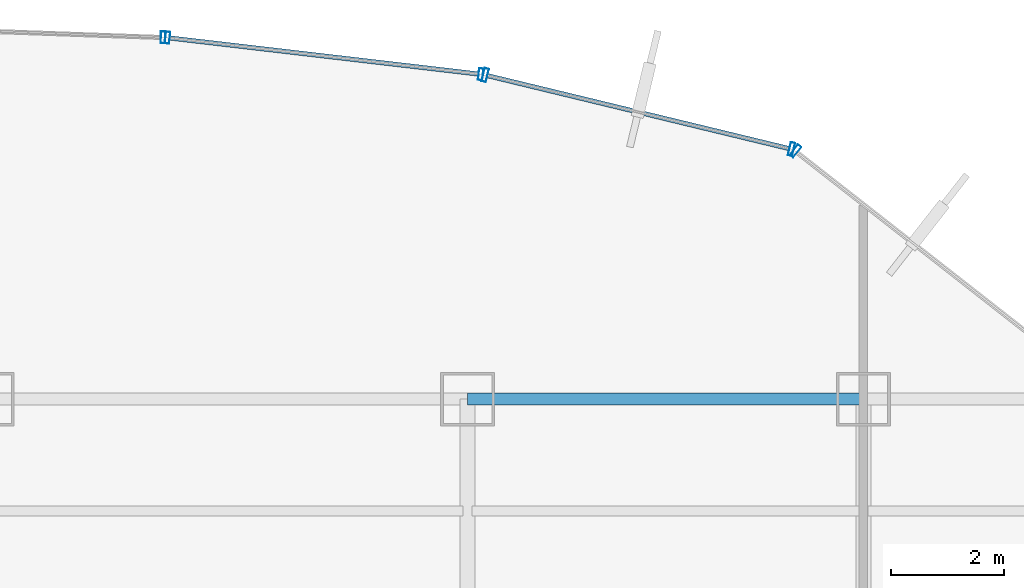
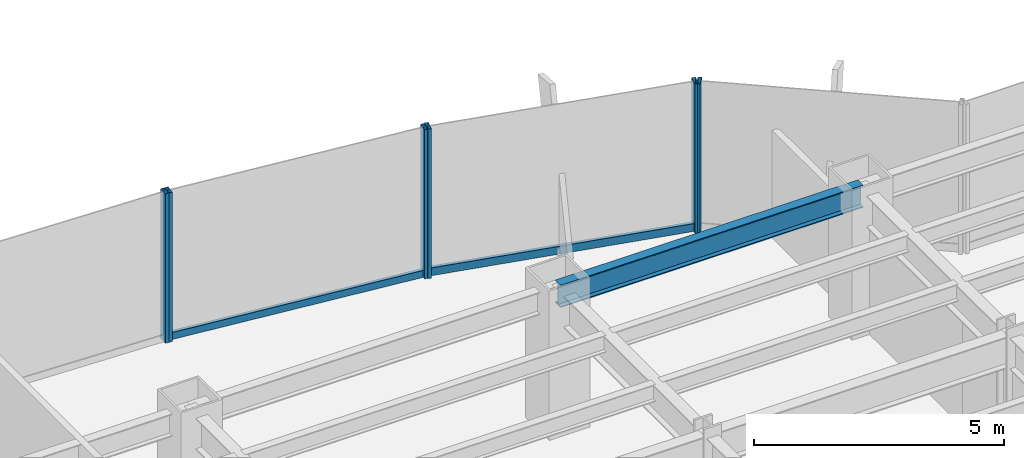
# One storey, part 14 of 22: 8 members, 1 beam, 4 elements without a shape of their own.
"""IFC4 building model written with IfcOpenShell, lengths in metres."""

from ifc_helpers import new_model, si_unit, derived_unit, direction, frame, origin, origin_2d, place, context, subcontext, project, spatial, hollow_rectangle, i_section, extrude, source, transform, mapped, material, material_profile, profile_set, type_object, element, aggregate, save


model = new_model("IFC4")

# Units and contexts
model_context = context("Model", 3, precision=1e-05, world=origin(), true_north=direction((0.0, 1.0)))
body_context = subcontext(model_context, "Body", "Model", "MODEL_VIEW")
ifc_project = project(units=[si_unit("LENGTHUNIT", "METRE"), si_unit("AREAUNIT", "SQUARE_METRE"), si_unit("VOLUMEUNIT", "CUBIC_METRE"), si_unit("PLANEANGLEUNIT", "RADIAN"), si_unit("MASSUNIT", "GRAM", prefix="KILO"), derived_unit("THERMALTRANSMITTANCEUNIT", [(si_unit("POWERUNIT", "WATT"), 1), (si_unit("LENGTHUNIT", "METRE"), -2), (si_unit("THERMODYNAMICTEMPERATUREUNIT", "KELVIN"), -1)])], contexts=[model_context])

# Site, building, storey
site_placement = place(None, origin())
site = spatial("IfcSite", under=ifc_project, at=site_placement, CompositionType="ELEMENT")
building_placement = place(site_placement, origin())
building = spatial("IfcBuilding", under=site, at=building_placement, Name="Skarnbrae Concourse Arena and Tower", CompositionType="ELEMENT")
storey_placement = place(building_placement, frame((0.0, 0.0, 61.699951171875)))
storey = spatial("IfcBuildingStorey", under=building, at=storey_placement, Name="L14", CompositionType="ELEMENT", Elevation=61.699951171875)

# Beam
ifc_material_1 = material(Name="Steel CSA G40.21 350W", Category="steel")
ifc_material_profile_1 = material_profile(ifc_material_1, i_section(OverallWidth=0.214111328125, OverallDepth=0.549072265625, WebThickness=0.0146484375, FlangeThickness=0.023681640625, at=origin_2d()), Name="W530X138")
ifc_profile_set_1 = profile_set([ifc_material_profile_1], Name="Steel CSA G40.21 350W")
beam_type = type_object("IfcBeamType", Name="BM-SPAN-W530X138", PredefinedType="SPANDREL", material=ifc_profile_set_1)
shared_shape_1 = source(origin(), body_context, "Body", "SweptSolid", [
    extrude(i_section(OverallWidth=0.214111328125, OverallDepth=0.549072265625, WebThickness=0.0146484375, FlangeThickness=0.023681640625, at=origin_2d()), origin(), (0.0, 0.0, 1.0), 7.0),
])
beam_placement = place(storey_placement, frame((42.0, 40.39990234375, 3.12548828125), z_axis=(1.0, 0.0, 0.0), x_axis=(0.0, 1.0, 0.0)))
element("IfcBeam", 1, at=beam_placement, inside=storey, type_object=beam_type, Name="L14 Perimeter spandrel Y40.4-6", PredefinedType="SPANDREL", context=body_context, shape_type="MappedRepresentation", body=[
    mapped(shared_shape_1, transform((0.0, 0.0, 0.0))),
])

# Curtain wall, member
ifc_material_2 = material(Name="Bronze anodised aluminium 6063-T6", Category="aluminium")
curtain_wall_type_1 = type_object("IfcCurtainWallType", Name="CW-SYS-02-LOWZONE", PredefinedType="USERDEFINED", material=ifc_material_2)
curtain_wall_1_placement = place(storey_placement, origin())
curtain_wall_1 = element("IfcCurtainWall", 2, at=curtain_wall_1_placement, inside=storey, type_object=curtain_wall_type_1, Name="L14 Unitised curtain wall CW-L14-E09", ObjectType="UNITISED CURTAIN WALL", PredefinedType="USERDEFINED")
ifc_material_profile_2 = material_profile(ifc_material_2, hollow_rectangle(XDim=0.080078125, YDim=0.18994140625, WallThickness=0.0048828125, at=origin_2d()), Name="ALU-TRAN-80X190")
ifc_profile_set_2 = profile_set([ifc_material_profile_2], Name="Bronze anodised aluminium 6063-T6")
member_type_1 = type_object("IfcMemberType", Name="CWT-CW-02", PredefinedType="USERDEFINED", material=ifc_profile_set_2)
shared_shape_2 = source(origin(), body_context, "Body", "SweptSolid", [
    extrude(hollow_rectangle(XDim=0.080078125, YDim=0.18994140625, WallThickness=0.0048828125, at=origin_2d()), origin(), (0.0, 0.0, 1.0), 5.4921875),
])
member_1_placement = place(storey_placement, frame((47.6884765625, 44.83056640625, 0.094970703125), z_axis=(-0.971980728004, 0.235060554728, 0.0), x_axis=(-0.235060554728, -0.971980728004, 0.0)))
member_1 = element("IfcMember", 3, at=member_1_placement, type_object=member_type_1, Name="CW-L14-E09 Transom 1", ObjectType="TRANSOM", PredefinedType="USERDEFINED", context=body_context, shape_type="MappedRepresentation", body=[
    mapped(shared_shape_2, transform((0.0, 0.0, 0.0))),
])

curtain_wall_2_placement = place(storey_placement, origin())
curtain_wall_2 = element("IfcCurtainWall", 4, at=curtain_wall_2_placement, inside=storey, type_object=curtain_wall_type_1, Name="L14 Unitised curtain wall CW-L14-E08", ObjectType="UNITISED CURTAIN WALL", PredefinedType="USERDEFINED")
ifc_material_profile_3 = material_profile(ifc_material_2, hollow_rectangle(XDim=0.080078125, YDim=0.239990234375, WallThickness=0.0048828125, at=origin_2d()), Name="ALU-MULL-80X240")
ifc_profile_set_3 = profile_set([ifc_material_profile_3], Name="Bronze anodised aluminium 6063-T6")
member_type_2 = type_object("IfcMemberType", Name="CWM-CW-02", PredefinedType="MULLION", material=ifc_profile_set_3)
shared_shape_3 = source(origin(), body_context, "Body", "SweptSolid", [
    extrude(hollow_rectangle(XDim=0.080078125, YDim=0.239990234375, WallThickness=0.0048828125, at=origin_2d()), origin(), (0.0, 0.0, 1.0), 3.650146484375),
])
member_2_placement = place(storey_placement, frame((47.7978515625, 44.787109375, 0.0), z_axis=(0.0, 0.0, 1.0), x_axis=(-0.787651726054, 0.616120733658, 0.0)))
member_2 = element("IfcMember", 5, at=member_2_placement, type_object=member_type_2, Name="CW-L14-E08 Mullion 2", PredefinedType="MULLION", context=body_context, shape_type="MappedRepresentation", body=[
    mapped(shared_shape_3, transform((0.0, 0.0, 0.0))),
])
aggregate(curtain_wall_2, [member_2])

# Member
member_3_placement = place(storey_placement, frame((47.727294921875, 44.821044921875, 0.0), z_axis=(0.0, 0.0, 1.0), x_axis=(-0.971973721569, 0.235089524607, 0.0)))
member_3 = element("IfcMember", 6, at=member_3_placement, type_object=member_type_2, Name="CW-L14-E09 Mullion 1", PredefinedType="MULLION", context=body_context, shape_type="MappedRepresentation", body=[
    mapped(shared_shape_3, transform((0.0, 0.0, 0.0))),
])

member_4_placement = place(storey_placement, frame((42.311279296875, 46.131103515625, 0.0), z_axis=(0.0, 0.0, 1.0), x_axis=(-0.971973721569, 0.235089524607, 0.0)))
member_4 = element("IfcMember", 7, at=member_4_placement, type_object=member_type_2, Name="CW-L14-E09 Mullion 2", PredefinedType="MULLION", context=body_context, shape_type="MappedRepresentation", body=[
    mapped(shared_shape_3, transform((0.0, 0.0, 0.0))),
])

aggregate(curtain_wall_1, [member_3, member_4, member_1])

# Curtain wall, members
curtain_wall_type_2 = type_object("IfcCurtainWallType", Name="CW-SYS-03-PORTAL", PredefinedType="USERDEFINED", material=ifc_material_2)
curtain_wall_3_placement = place(storey_placement, origin())
curtain_wall_3 = element("IfcCurtainWall", 8, at=curtain_wall_3_placement, inside=storey, type_object=curtain_wall_type_2, Name="L14 Unitised curtain wall CW-L14-E10", ObjectType="UNITISED CURTAIN WALL", PredefinedType="USERDEFINED")
ifc_material_profile_4 = material_profile(ifc_material_2, hollow_rectangle(XDim=0.080078125, YDim=0.2099609375, WallThickness=0.00439453125, at=origin_2d()), Name="ALU-MULL-80X210")
ifc_profile_set_4 = profile_set([ifc_material_profile_4], Name="Bronze anodised aluminium 6063-T6")
member_type_3 = type_object("IfcMemberType", Name="CWM-CW-03", PredefinedType="MULLION", material=ifc_profile_set_4)
shared_shape_4 = source(origin(), body_context, "Body", "SweptSolid", [
    extrude(hollow_rectangle(XDim=0.080078125, YDim=0.2099609375, WallThickness=0.00439453125, at=origin_2d()), origin(), (0.0, 0.0, 1.0), 3.650146484375),
])
member_5_placement = place(storey_placement, frame((42.232666015625, 46.14501953125, 0.0), z_axis=(0.0, 0.0, 1.0), x_axis=(-0.99324457001, 0.116039752435, 0.0)))
member_5 = element("IfcMember", 9, at=member_5_placement, type_object=member_type_3, Name="CW-L14-E10 Mullion 1", PredefinedType="MULLION", context=body_context, shape_type="MappedRepresentation", body=[
    mapped(shared_shape_4, transform((0.0, 0.0, 0.0))),
])
member_6_placement = place(storey_placement, frame((36.693603515625, 46.792236328125, 0.0), z_axis=(0.0, 0.0, 1.0), x_axis=(-0.99324457001, 0.116039752435, 0.0)))
member_6 = element("IfcMember", 10, at=member_6_placement, type_object=member_type_3, Name="CW-L14-E10 Mullion 2", PredefinedType="MULLION", context=body_context, shape_type="MappedRepresentation", body=[
    mapped(shared_shape_4, transform((0.0, 0.0, 0.0))),
])

# Curtain wall, member
curtain_wall_4_placement = place(storey_placement, origin())
curtain_wall_4 = element("IfcCurtainWall", 11, at=curtain_wall_4_placement, inside=storey, type_object=curtain_wall_type_2, Name="L14 Unitised curtain wall CW-L14-E11", ObjectType="UNITISED CURTAIN WALL", PredefinedType="USERDEFINED")
member_7_placement = place(storey_placement, frame((36.614013671875, 46.79833984375, 0.0), z_axis=(0.0, 0.0, 1.0), x_axis=(-0.999355425188, 0.035898943527, 0.0)))
member_7 = element("IfcMember", 12, at=member_7_placement, type_object=member_type_3, Name="CW-L14-E11 Mullion 1", PredefinedType="MULLION", context=body_context, shape_type="MappedRepresentation", body=[
    mapped(shared_shape_4, transform((0.0, 0.0, 0.0))),
])
aggregate(curtain_wall_4, [member_7])

# Member
ifc_material_profile_5 = material_profile(ifc_material_2, hollow_rectangle(XDim=0.080078125, YDim=0.169921875, WallThickness=0.00439453125, at=origin_2d()), Name="ALU-TRAN-80X170")
ifc_profile_set_5 = profile_set([ifc_material_profile_5], Name="Bronze anodised aluminium 6063-T6")
member_type_4 = type_object("IfcMemberType", Name="CWT-CW-03", PredefinedType="USERDEFINED", material=ifc_profile_set_5)
shared_shape_5 = source(origin(), body_context, "Body", "SweptSolid", [
    extrude(hollow_rectangle(XDim=0.080078125, YDim=0.169921875, WallThickness=0.00439453125, at=origin_2d()), origin(), (0.0, 0.0, 1.0), 5.49658203125),
])
member_8_placement = place(storey_placement, frame((42.19287109375, 46.14990234375, 0.0849609375), z_axis=(-0.993247281455, 0.116016541417, 0.0), x_axis=(-0.116016541417, -0.993247281455, 0.0)))
member_8 = element("IfcMember", 13, at=member_8_placement, type_object=member_type_4, Name="CW-L14-E10 Transom 1", ObjectType="TRANSOM", PredefinedType="USERDEFINED", context=body_context, shape_type="MappedRepresentation", body=[
    mapped(shared_shape_5, transform((0.0, 0.0, 0.0))),
])

aggregate(curtain_wall_3, [member_5, member_6, member_8])

save(model, "model.ifc")
